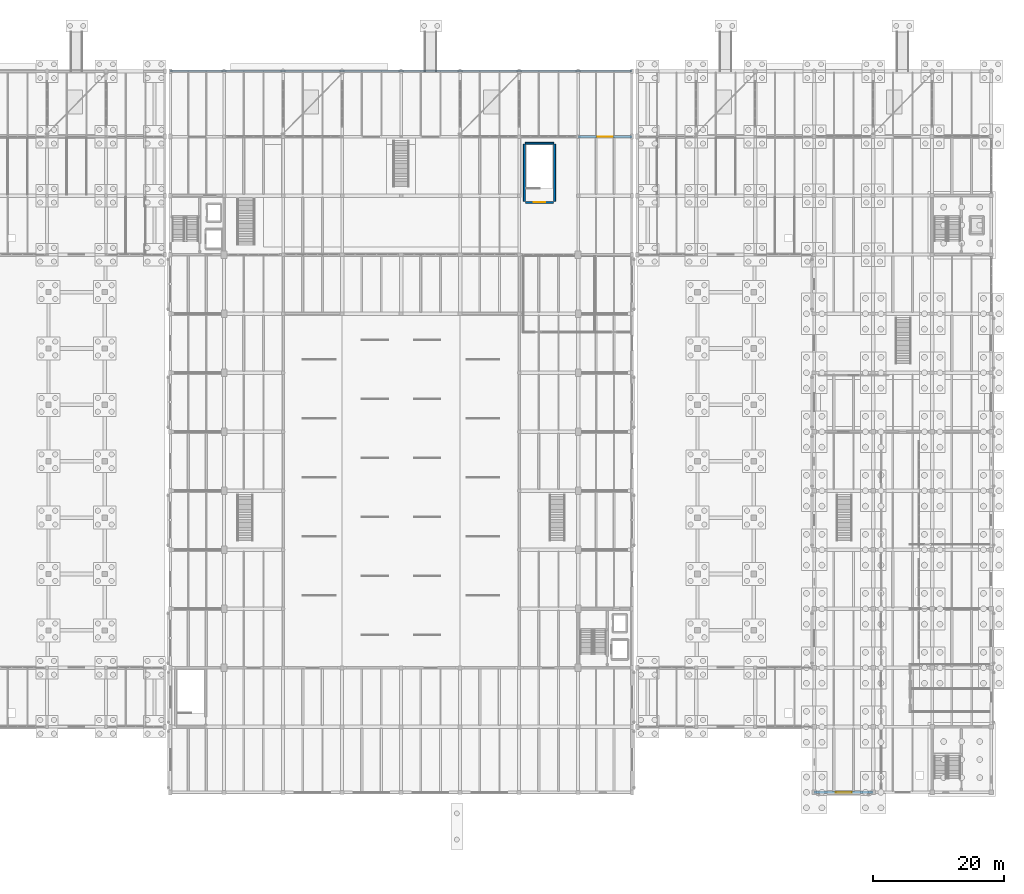
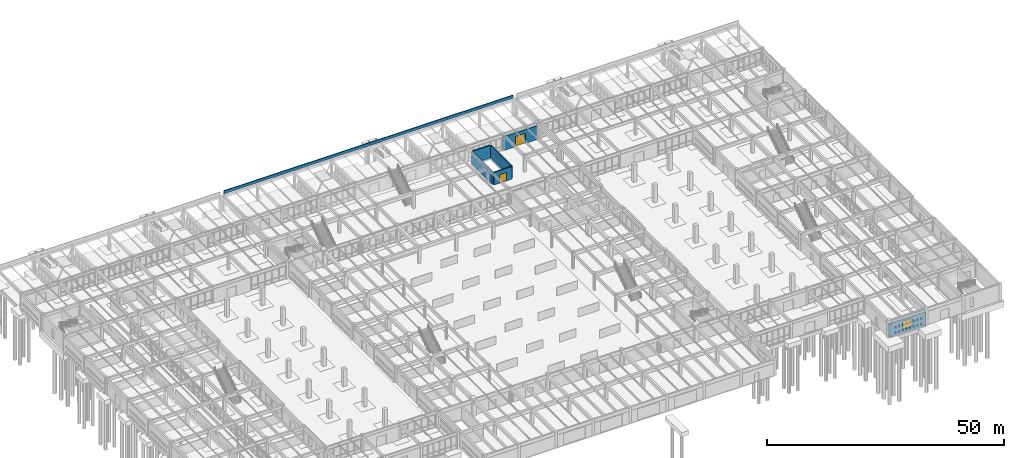
# One storey, part 167 of 186: 7 walls, 2 doors, 1 window, 3 openings.
"""IFC4 building model written with IfcOpenShell, lengths in metres."""

from ifc_helpers import new_model, si_unit, direction, frame, frame_2d, origin, place, context, subcontext, project, spatial, rectangle, extrude, material, layer, layer_set, type_object, element, fill, save


model = new_model("IFC4")

# Units and contexts
model_context = context("Model", 3, precision=1e-05, world=origin(), true_north=direction((0.0, 1.0)))
body_context = subcontext(model_context, "Body", "Model", "MODEL_VIEW")
ifc_project = project(units=[si_unit("LENGTHUNIT", "METRE"), si_unit("AREAUNIT", "SQUARE_METRE"), si_unit("VOLUMEUNIT", "CUBIC_METRE"), si_unit("PLANEANGLEUNIT", "RADIAN"), si_unit("MASSUNIT", "GRAM", prefix="KILO")], contexts=[model_context])

# Site, building, storey
site_placement = place(None, origin())
site = spatial("IfcSite", under=ifc_project, at=site_placement, CompositionType="ELEMENT")
building_placement = place(site_placement, origin())
building = spatial("IfcBuilding", under=site, at=building_placement, Name="Ornek Quay Market", CompositionType="ELEMENT")
storey_placement = place(building_placement, origin())
storey = spatial("IfcBuildingStorey", under=building, at=storey_placement, Name="L00", CompositionType="ELEMENT", Elevation=0.0)

# Walls
ifc_material_1 = material(Name="Concrete C40/50", Category="concrete")
ifc_layer_1 = layer(ifc_material_1, 0.300048828125, Name="Concrete C40/50", Category="concrete")
ifc_layer_set_1 = layer_set([ifc_layer_1], Name="Concrete C40/50")
wall_type_1 = type_object("IfcWallType", Name="WL-CORE-300", PredefinedType="SHEAR", material=ifc_layer_set_1)
for number, where, z_axis, x_axis, name in (
    (1, (108.800048828125, 100.14990234375, 0.0), (0.0, 0.0, 1.0), (0.0, 1.0, 0.0), "Interior wall W-CORE1-180"),
    (2, (113.39990234375, 100.14990234375, 0.0), (0.0, 0.0, 1.0), (0.0, 1.0, 0.0), "Interior wall W-CORE1-181"),
):
    element("IfcWall", number, at=place(storey_placement, frame(where, z_axis=z_axis, x_axis=x_axis)), inside=storey, type_object=wall_type_1, Name=name, PredefinedType="SHEAR", context=body_context, shape_type="SweptSolid", body=[
        extrude(rectangle(XDim=8.7001953125, YDim=0.300048828125, at=frame_2d((4.35009765625, 0.0))), origin(), (0.0, 0.0, 1.0), 3.199951171875),
    ])

# Wall, opening, door
wall_1_placement = place(storey_placement, frame((108.949951171875, 100.0, 0.0), z_axis=(0.0, 0.0, 1.0), x_axis=(1.0, 0.0, 0.0)))
wall_1 = element("IfcWall", 3, at=wall_1_placement, inside=storey, type_object=wall_type_1, Name="Interior wall W-CORE1-182", PredefinedType="SHEAR", context=body_context, shape_type="SweptSolid", body=[
    extrude(rectangle(XDim=4.300048828125, YDim=0.300048828125, at=frame_2d((2.14990234375, 0.0))), origin(), (0.0, 0.0, 1.0), 3.199951171875),
])
opening_1_placement = place(wall_1_placement, frame((1.25, 0.0, 0.0)))
opening_1 = element("IfcOpeningElement", 4, at=opening_1_placement, cuts=wall_1, Name="Opening FD-01-071", PredefinedType="OPENING", context=body_context, shape_type="SweptSolid", body=[
    extrude(rectangle(XDim=1.800048828125, YDim=2.199951171875, at=frame_2d((0.89990234375, 1.10009765625))), frame((0.0, 0.159912109375, 0.0), z_axis=(0.0, -1.0, 0.0), x_axis=(1.0, 0.0, 0.0)), (0.0, 0.0, 1.0), 0.320068359375),
])
ifc_material_2 = material(Name="Insulated fire-rated painted steel", Category="steel")
door_type_1 = type_object("IfcDoorType", Name="DR-FIRE-DBL-1800x2200", OperationType="DOUBLE_DOOR_SINGLE_SWING", PredefinedType="DOOR", material=ifc_material_2)
door_1_placement = place(opening_1_placement, origin())
door_1 = element("IfcDoor", 5, at=door_1_placement, inside=storey, type_object=door_type_1, Name="Interior door FD-01-071", OperationType="DOUBLE_DOOR_SINGLE_SWING", OverallHeight=2.199951171875, OverallWidth=1.800048828125, PredefinedType="DOOR", context=body_context, shape_type="SweptSolid", body=[
    extrude(rectangle(XDim=1.800048828125, YDim=2.199951171875, at=frame_2d((0.89990234375, 1.10009765625))), frame((0.0, 0.02490234375, 0.0), z_axis=(0.0, -1.0, 0.0), x_axis=(1.0, 0.0, 0.0)), (0.0, 0.0, 1.0), 0.050048828125),
])
fill(opening_1, door_1)

# Wall
wall_2_placement = place(storey_placement, frame((108.949951171875, 109.0, 0.0), z_axis=(0.0, 0.0, 1.0), x_axis=(1.0, 0.0, 0.0)))
element("IfcWall", 6, at=wall_2_placement, inside=storey, type_object=wall_type_1, Name="Interior wall W-CORE1-183", PredefinedType="SHEAR", context=body_context, shape_type="SweptSolid", body=[
    extrude(rectangle(XDim=4.300048828125, YDim=0.300048828125, at=frame_2d((2.14990234375, 0.0))), origin(), (0.0, 0.0, 1.0), 3.199951171875),
])

# Wall, opening, window
ifc_material_3 = material(Name="Frost-resistant facing clay brick M200 F100", Category="masonry")
ifc_layer_2 = layer(ifc_material_3, 0.3701171875, Name="Frost-resistant facing clay brick M200 F100", Category="masonry")
ifc_layer_set_2 = layer_set([ifc_layer_2], Name="Frost-resistant facing clay brick M200 F100")
wall_type_2 = type_object("IfcWallType", Name="WL-EXT-CS-370", PredefinedType="STANDARD", material=ifc_layer_set_2)
wall_3_placement = place(storey_placement, frame((153.0, 10.0, 0.0), z_axis=(0.0, 0.0, 1.0), x_axis=(1.0, 0.0, 0.0)))
wall_3 = element("IfcWall", 7, at=wall_3_placement, inside=storey, type_object=wall_type_2, Name="Exterior wall EW-197", PredefinedType="STANDARD", context=body_context, shape_type="SweptSolid", body=[
    extrude(rectangle(XDim=9.0, YDim=0.3701171875, at=frame_2d((4.5, 0.0))), origin(), (0.0, 0.0, 1.0), 3.3798828125),
])
opening_2_placement = place(wall_3_placement, frame((3.300048828125, 0.0, 0.89990234375)))
opening_2 = element("IfcOpeningElement", 8, at=opening_2_placement, cuts=wall_3, Name="Opening W-08-161", PredefinedType="OPENING", context=body_context, shape_type="SweptSolid", body=[
    extrude(rectangle(XDim=2.39990234375, YDim=2.0, at=frame_2d((1.199951171875, 1.0))), frame((0.0, 0.195068359375, 0.0), z_axis=(0.0, -1.0, 0.0), x_axis=(1.0, 0.0, 0.0)), (0.0, 0.0, 1.0), 0.39013671875),
])
ifc_material_4 = material(Name="Thermally broken bronze aluminium and triple low-e glass", Category="aluminium")
window_type = type_object("IfcWindowType", Name="WN-CS-2400x2000", PartitioningType="DOUBLE_PANEL_VERTICAL", PredefinedType="WINDOW", material=ifc_material_4)
window_placement = place(opening_2_placement, origin())
window = element("IfcWindow", 9, at=window_placement, inside=storey, type_object=window_type, Name="Window W-08-161", OverallHeight=2.0, OverallWidth=2.39990234375, PartitioningType="SINGLE_PANEL", PredefinedType="WINDOW", context=body_context, shape_type="SweptSolid", body=[
    extrude(rectangle(XDim=2.39990234375, YDim=2.0, at=frame_2d((1.199951171875, 1.0))), frame((0.0, 0.030029296875, 0.0), z_axis=(0.0, -1.0, 0.0), x_axis=(1.0, 0.0, 0.0)), (0.0, 0.0, 1.0), 0.06005859375),
])
fill(opening_2, window)

# Wall, opening, door
ifc_material_5 = material(Name="Granite-faced insulated concrete C35/45", Category="masonry")
ifc_layer_3 = layer(ifc_material_5, 0.43994140625, Name="Granite-faced insulated concrete C35/45", Category="masonry")
ifc_layer_set_3 = layer_set([ifc_layer_3], Name="Granite-faced insulated concrete C35/45")
wall_type_3 = type_object("IfcWallType", Name="WL-EXT-PLINTH-440", PredefinedType="STANDARD", material=ifc_layer_set_3)
wall_4_placement = place(storey_placement, frame((117.0, 110.0, 0.0), z_axis=(0.0, 0.0, 1.0), x_axis=(1.0, 0.0, 0.0)))
wall_4 = element("IfcWall", 10, at=wall_4_placement, inside=storey, type_object=wall_type_3, Name="Exterior wall EW-097", PredefinedType="STANDARD", context=body_context, shape_type="SweptSolid", body=[
    extrude(rectangle(XDim=8.199951171875, YDim=0.43994140625, at=frame_2d((4.10009765625, 0.0))), origin(), (0.0, 0.0, 1.0), 3.52001953125),
])
opening_3_placement = place(wall_4_placement, frame((2.89990234375, 0.0, 0.0)))
opening_3 = element("IfcOpeningElement", 11, at=opening_3_placement, cuts=wall_4, Name="Opening ED-01-022", PredefinedType="OPENING", context=body_context, shape_type="SweptSolid", body=[
    extrude(rectangle(XDim=2.39990234375, YDim=2.60009765625, at=frame_2d((1.199951171875, 1.300048828125))), frame((0.0, 0.22998046875, 0.0), z_axis=(0.0, -1.0, 0.0), x_axis=(1.0, 0.0, 0.0)), (0.0, 0.0, 1.0), 0.4599609375),
])
ifc_material_6 = material(Name="Anodised bronze aluminium and triple glass", Category="aluminium")
door_type_2 = type_object("IfcDoorType", Name="DR-EXT-DBL-2400x2600", OperationType="DOUBLE_DOOR_SINGLE_SWING", PredefinedType="DOOR", material=ifc_material_6)
door_2_placement = place(opening_3_placement, origin())
door_2 = element("IfcDoor", 12, at=door_2_placement, inside=storey, type_object=door_type_2, Name="Exterior door ED-01-022", OperationType="DOUBLE_DOOR_SINGLE_SWING", OverallHeight=2.60009765625, OverallWidth=2.39990234375, PredefinedType="DOOR", context=body_context, shape_type="SweptSolid", body=[
    extrude(rectangle(XDim=2.39990234375, YDim=2.60009765625, at=frame_2d((1.199951171875, 1.300048828125))), frame((0.0, 0.02490234375, 0.0), z_axis=(0.0, -1.0, 0.0), x_axis=(1.0, 0.0, 0.0)), (0.0, 0.0, 1.0), 0.050048828125),
])
fill(opening_3, door_2)

# Wall
ifc_material_7 = material(Name="Precast concrete C40/50", Category="concrete")
ifc_layer_4 = layer(ifc_material_7, 0.2099609375, Name="Precast concrete C40/50", Category="concrete")
ifc_layer_set_4 = layer_set([ifc_layer_4], Name="Precast concrete C40/50")
wall_type_4 = type_object("IfcWallType", Name="WL-PAR-210", PredefinedType="PARAPET", material=ifc_layer_set_4)
wall_5_placement = place(storey_placement, frame((54.800048828125, 120.0, 4.5), z_axis=(0.0, 0.0, 1.0), x_axis=(1.0, 0.0, 0.0)))
element("IfcWall", 13, at=wall_5_placement, inside=storey, type_object=wall_type_4, Name="Roof parapet PR-02", PredefinedType="PARAPET", context=body_context, shape_type="SweptSolid", body=[
    extrude(rectangle(XDim=70.39990234375, YDim=0.2099609375, at=frame_2d((35.199951171875, 0.0))), origin(), (0.0, 0.0, 1.0), 0.75),
])

save(model, "model.ifc")
